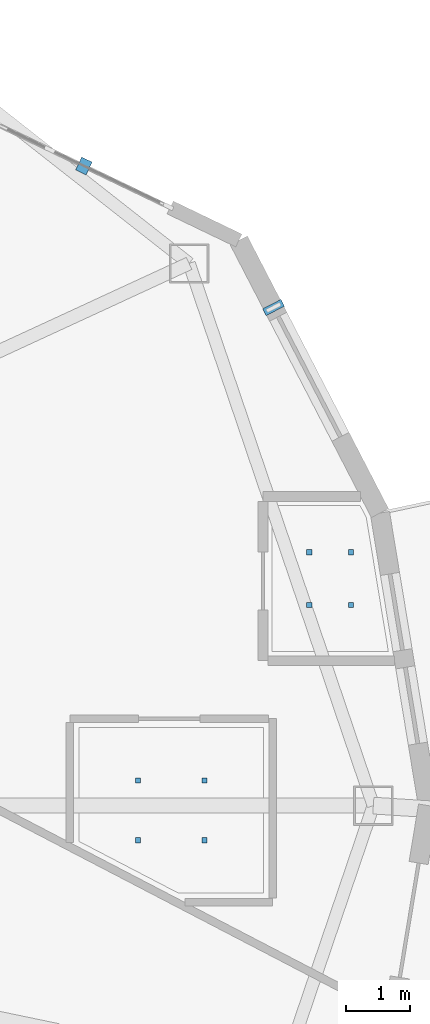
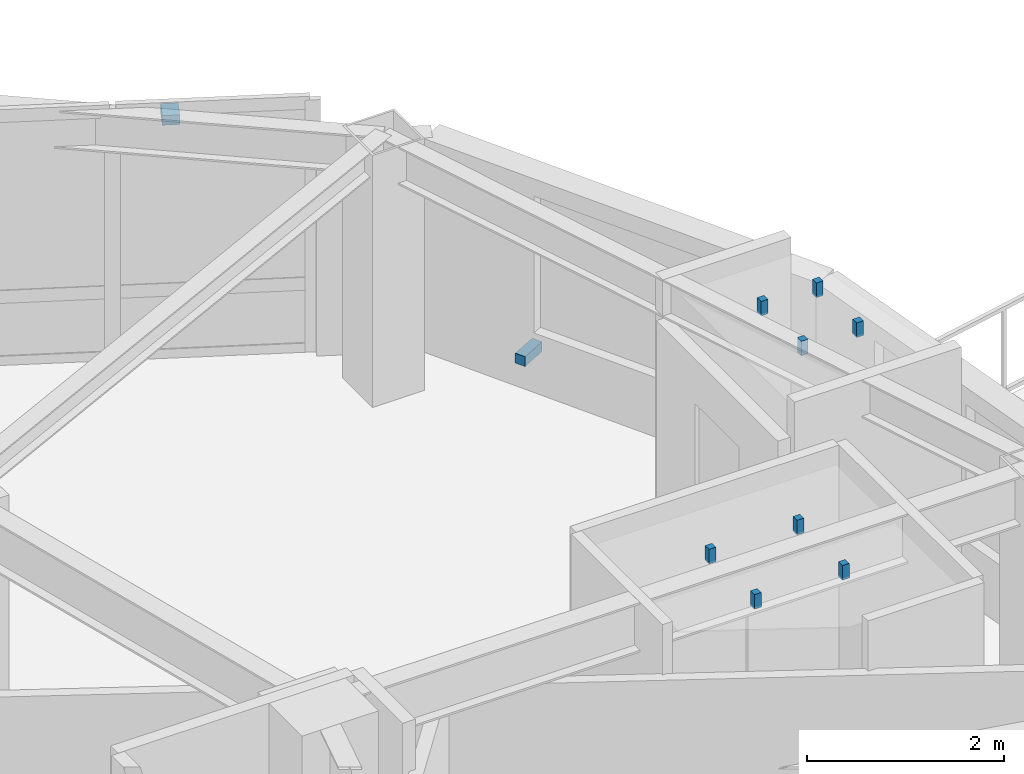
# One storey, part 13 of 19: 10 discrete accessories.
"""IFC4 building model written with IfcOpenShell, lengths in metres."""

from ifc_helpers import new_model, si_unit, direction, frame, origin, origin_2d, place, context, subcontext, project, spatial, rectangle, extrude, material, type_object, element, save


model = new_model("IFC4")

# Units and contexts
model_context = context("Model", 3, precision=1e-05, world=origin(), true_north=direction((0.0, 1.0)))
body_context = subcontext(model_context, "Body", "Model", "MODEL_VIEW")
ifc_project = project(units=[si_unit("LENGTHUNIT", "METRE"), si_unit("AREAUNIT", "SQUARE_METRE"), si_unit("VOLUMEUNIT", "CUBIC_METRE"), si_unit("PLANEANGLEUNIT", "RADIAN"), si_unit("MASSUNIT", "GRAM", prefix="KILO")], contexts=[model_context])

# Site, building, storey
site_placement = place(None, origin())
site = spatial("IfcSite", under=ifc_project, at=site_placement, CompositionType="ELEMENT")
building_placement = place(site_placement, origin())
building = spatial("IfcBuilding", under=site, at=building_placement, Name="Kolvaren Gate Tower and Convention Centre", CompositionType="ELEMENT")
storey_placement = place(building_placement, frame((0.0, 0.0, 169.89990234375)))
storey = spatial("IfcBuildingStorey", under=building, at=storey_placement, Name="L44", CompositionType="ELEMENT", Elevation=169.89990234375)

# Discrete accessories
ifc_material_1 = material(Name="Anodized Architectural Aluminium Alloy 6063-T6", Category="aluminium")
discrete_accessory_type_1 = type_object("IfcDiscreteAccessoryType", Name="ARCH-ACC-BRACKET-120", PredefinedType="BRACKET", material=ifc_material_1)
discrete_accessory_1_placement = place(storey_placement, frame((49.66259765625, 34.7333984375, 0.2900390625), z_axis=(0.0, 0.0, 1.0), x_axis=(0.459798409467, -0.888023323259, 0.0)))
element("IfcDiscreteAccessory", 1, at=discrete_accessory_1_placement, inside=storey, type_object=discrete_accessory_type_1, Name="Ceramic Fin Wall Anchor Bracket FBK-L44-01", PredefinedType="BRACKET", context=body_context, shape_type="SweptSolid", body=[
    extrude(rectangle(XDim=0.1201171875, YDim=0.320068359375, at=origin_2d()), origin(), (0.0, 0.0, 1.0), 0.1201171875),
])
discrete_accessory_2_placement = place(storey_placement, frame((46.718505859375, 36.930419921875, 2.949951171875), z_axis=(0.0, 0.0, 1.0), x_axis=(0.901358389955, -0.433073957723, 0.0)))
element("IfcDiscreteAccessory", 2, at=discrete_accessory_2_placement, inside=storey, type_object=discrete_accessory_type_1, Name="Solar Screen Spandrel Anchor Bracket BK-L44-02", PredefinedType="BRACKET", context=body_context, shape_type="SweptSolid", body=[
    extrude(rectangle(XDim=0.179931640625, YDim=0.219970703125, at=origin_2d()), origin(), (0.0, 0.0, 1.0), 0.1201171875),
])
ifc_material_2 = material(Name="Brushed Stainless Steel Grade 316L", Category="steel")
discrete_accessory_type_2 = type_object("IfcDiscreteAccessoryType", Name="ARCH-ACC-HANGER-80", PredefinedType="BRACKET", material=ifc_material_2)
for number, where, z_axis, x_axis, name in (
    (3, (47.55810546875, 26.4619140625, 2.9501953125), (0.0, 0.0, 1.0), (1.0, 0.0, 0.0), "Suite Principal Bedroom (HTL-L44-05) Ceiling Suspension Hanger Clip 1"),
    (4, (48.592041015625, 26.4619140625, 2.9501953125), (0.0, 0.0, 1.0), (1.0, 0.0, 0.0), "Suite Principal Bedroom (HTL-L44-05) Ceiling Suspension Hanger Clip 2"),
    (5, (47.55810546875, 27.387939453125, 2.9501953125), (0.0, 0.0, 1.0), (1.0, 0.0, 0.0), "Suite Principal Bedroom (HTL-L44-05) Ceiling Suspension Hanger Clip 3"),
    (6, (48.592041015625, 27.387939453125, 2.9501953125), (0.0, 0.0, 1.0), (1.0, 0.0, 0.0), "Suite Principal Bedroom (HTL-L44-05) Ceiling Suspension Hanger Clip 4"),
    (7, (50.218017578125, 30.115966796875, 2.9501953125), (0.0, 0.0, 1.0), (1.0, 0.0, 0.0), "En-suite Bathroom (HTL-L44-05) Ceiling Suspension Hanger Clip 1"),
    (8, (50.867919921875, 30.115966796875, 2.9501953125), (0.0, 0.0, 1.0), (1.0, 0.0, 0.0), "En-suite Bathroom (HTL-L44-05) Ceiling Suspension Hanger Clip 2"),
    (9, (50.218017578125, 30.93408203125, 2.9501953125), (0.0, 0.0, 1.0), (1.0, 0.0, 0.0), "En-suite Bathroom (HTL-L44-05) Ceiling Suspension Hanger Clip 3"),
    (10, (50.867919921875, 30.93408203125, 2.9501953125), (0.0, 0.0, 1.0), (1.0, 0.0, 0.0), "En-suite Bathroom (HTL-L44-05) Ceiling Suspension Hanger Clip 4"),
):
    element("IfcDiscreteAccessory", number, at=place(storey_placement, frame(where, z_axis=z_axis, x_axis=x_axis)), inside=storey, type_object=discrete_accessory_type_2, Name=name, PredefinedType="BRACKET", context=body_context, shape_type="SweptSolid", body=[
        extrude(rectangle(XDim=0.080078125, YDim=0.080078125, at=origin_2d()), origin(), (0.0, 0.0, 1.0), 0.179931640625),
    ])

save(model, "model.ifc")
